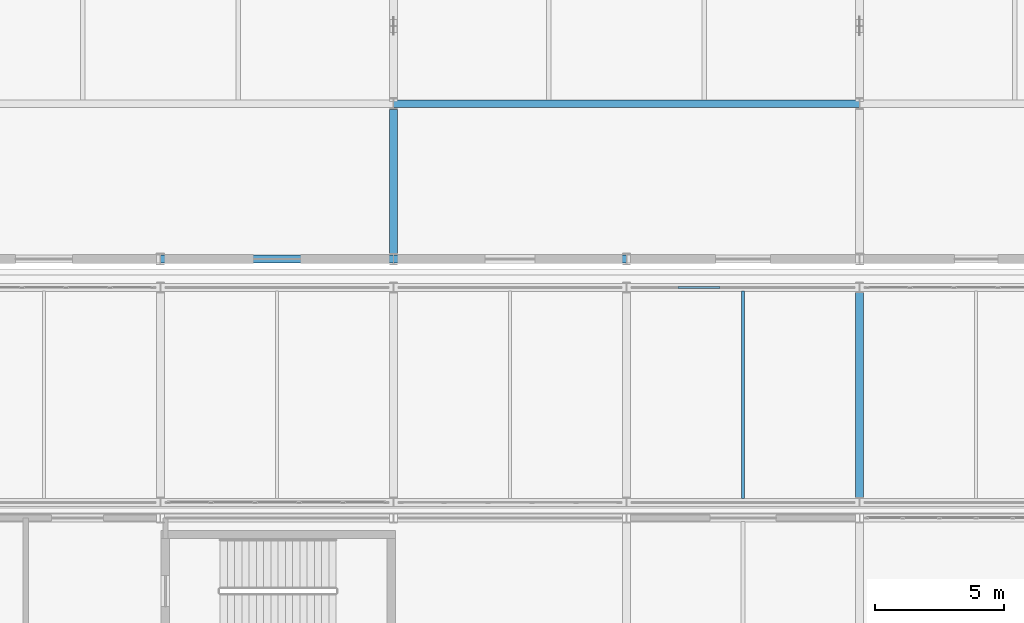
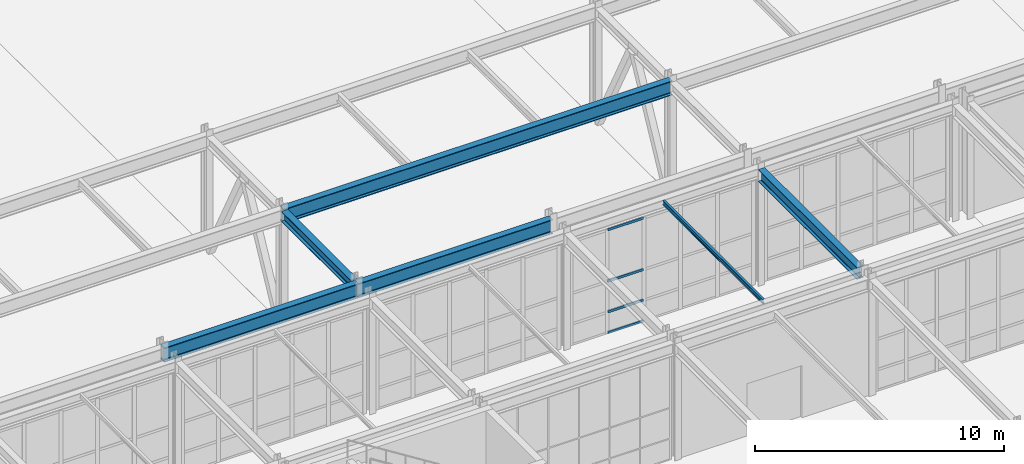
# One storey, part 54 of 146: 6 beams, 4 members, 1 element without a shape of its own.
"""IFC4 building model written with IfcOpenShell, lengths in metres."""

from ifc_helpers import new_model, si_unit, direction, frame, origin, origin_2d, place, context, subcontext, project, spatial, hollow_rectangle, i_section, extrude, material, material_profile, profile_set, type_object, element, aggregate, save


model = new_model("IFC4")

# Units and contexts
model_context = context("Model", 3, precision=1e-05, world=origin(), true_north=direction((0.0, 1.0)))
body_context = subcontext(model_context, "Body", "Model", "MODEL_VIEW")
ifc_project = project(units=[si_unit("LENGTHUNIT", "METRE"), si_unit("AREAUNIT", "SQUARE_METRE"), si_unit("VOLUMEUNIT", "CUBIC_METRE"), si_unit("PLANEANGLEUNIT", "RADIAN"), si_unit("MASSUNIT", "GRAM", prefix="KILO")], contexts=[model_context])

# Site, building, storey
site_placement = place(None, origin())
site = spatial("IfcSite", under=ifc_project, at=site_placement, CompositionType="ELEMENT")
building_placement = place(site_placement, origin())
building = spatial("IfcBuilding", under=site, at=building_placement, Name="Kaldris Quays Convention Centre", CompositionType="ELEMENT")
storey_placement = place(building_placement, origin())
storey = spatial("IfcBuildingStorey", under=building, at=storey_placement, Name="L00", CompositionType="ELEMENT", Elevation=0.0)

# Curtain wall, members
ifc_material_1 = material(Name="Anodized aluminium AW-6060 and triple glazing", Category="aluminium")
curtain_wall_type = type_object("IfcCurtainWallType", Name="UNITISED CURTAIN WALL CW02", PredefinedType="NOTDEFINED", material=ifc_material_1)
curtain_wall_placement = place(storey_placement, origin())
curtain_wall = element("IfcCurtainWall", 1, at=curtain_wall_placement, inside=storey, type_object=curtain_wall_type, Name="L00 Unitised Curtain Wall CW02 87", PredefinedType="NOTDEFINED")
ifc_material_2 = material(Name="Anodized aluminium AW-6060", Category="aluminium")
ifc_material_profile_1 = material_profile(ifc_material_2, hollow_rectangle(XDim=0.06005859375, YDim=0.1201171875, WallThickness=0.00390625, at=origin_2d()), Name="RHS 120x60x4")
ifc_profile_set_1 = profile_set([ifc_material_profile_1], Name="Anodized aluminium AW-6060")
member_type = type_object("IfcMemberType", Name="CURTAIN TRANSOM CWT1", PredefinedType="USERDEFINED", material=ifc_profile_set_1)
member_1_placement = place(storey_placement, frame((66.97998046875, 54.89990234375, 0.030029296875), z_axis=(1.0, 0.0, 0.0), x_axis=(0.0, 1.0, 0.0)))
member_1 = element("IfcMember", 2, at=member_1_placement, type_object=member_type, Name="CW02 transom 2.1", ObjectType="TRANSOM", PredefinedType="USERDEFINED", context=body_context, shape_type="SweptSolid", body=[
    extrude(hollow_rectangle(XDim=0.06005859375, YDim=0.1201171875, WallThickness=0.00390625, at=origin_2d()), origin(), (0.0, 0.0, 1.0), 1.64013671875),
])
member_2_placement = place(storey_placement, frame((66.97998046875, 54.89990234375, 1.050048828125), z_axis=(1.0, 0.0, 0.0), x_axis=(0.0, 1.0, 0.0)))
member_2 = element("IfcMember", 3, at=member_2_placement, type_object=member_type, Name="CW02 transom 2.2", ObjectType="TRANSOM", PredefinedType="USERDEFINED", context=body_context, shape_type="SweptSolid", body=[
    extrude(hollow_rectangle(XDim=0.06005859375, YDim=0.1201171875, WallThickness=0.00390625, at=origin_2d()), origin(), (0.0, 0.0, 1.0), 1.64013671875),
])
member_3_placement = place(storey_placement, frame((66.97998046875, 54.89990234375, 2.550048828125), z_axis=(1.0, 0.0, 0.0), x_axis=(0.0, 1.0, 0.0)))
member_3 = element("IfcMember", 4, at=member_3_placement, type_object=member_type, Name="CW02 transom 2.3", ObjectType="TRANSOM", PredefinedType="USERDEFINED", context=body_context, shape_type="SweptSolid", body=[
    extrude(hollow_rectangle(XDim=0.06005859375, YDim=0.1201171875, WallThickness=0.00390625, at=origin_2d()), origin(), (0.0, 0.0, 1.0), 1.64013671875),
])
member_4_placement = place(storey_placement, frame((66.97998046875, 54.89990234375, 5.070068359375), z_axis=(1.0, 0.0, 0.0), x_axis=(0.0, 1.0, 0.0)))
member_4 = element("IfcMember", 5, at=member_4_placement, type_object=member_type, Name="CW02 transom 2.4", ObjectType="TRANSOM", PredefinedType="USERDEFINED", context=body_context, shape_type="SweptSolid", body=[
    extrude(hollow_rectangle(XDim=0.06005859375, YDim=0.1201171875, WallThickness=0.00390625, at=origin_2d()), origin(), (0.0, 0.0, 1.0), 1.64013671875),
])
aggregate(curtain_wall, [member_1, member_2, member_3, member_4])

# Beams
ifc_material_3 = material(Name="Steel S355J2", Category="steel")
ifc_material_profile_2 = material_profile(ifc_material_3, i_section(OverallWidth=0.300048828125, OverallDepth=0.699951171875, WebThickness=0.01708984375, FlangeThickness=0.031982421875, FilletRadius=0.027099609375, at=origin_2d()), Name="HEB 700")
ifc_profile_set_2 = profile_set([ifc_material_profile_2], Name="Steel S355J2")
beam_type_1 = type_object("IfcBeamType", Name="STRUCTURAL BEAM BM04", PredefinedType="BEAM", material=ifc_profile_set_2)
for number, where, z_axis, x_axis, name in (
    (6, (47.00439453125, 56.0, 5.3330078125), (1.0, 0.0, 0.0), (0.0, 1.0, 0.0), "L00 Girder BM04 4"),
    (7, (56.00439453125, 56.0, 5.3330078125), (1.0, 0.0, 0.0), (0.0, 1.0, 0.0), "L00 Girder BM04 5"),
):
    element("IfcBeam", number, at=place(storey_placement, frame(where, z_axis=z_axis, x_axis=x_axis)), inside=storey, type_object=beam_type_1, Name=name, PredefinedType="BEAM", context=body_context, shape_type="SweptSolid", body=[
        extrude(i_section(OverallWidth=0.300048828125, OverallDepth=0.699951171875, WebThickness=0.01708984375, FlangeThickness=0.031982421875, FilletRadius=0.027099609375, at=origin_2d()), origin(), (0.0, 0.0, 1.0), 8.9912109375),
    ])
beam_1_placement = place(storey_placement, frame((56.0009765625, 62.0, 5.3330078125), z_axis=(1.0, 0.0, 0.0), x_axis=(0.0, 1.0, 0.0)))
element("IfcBeam", 8, at=beam_1_placement, inside=storey, type_object=beam_type_1, Name="L00 Girder BM04 17", PredefinedType="BEAM", context=body_context, shape_type="SweptSolid", body=[
    extrude(i_section(OverallWidth=0.300048828125, OverallDepth=0.699951171875, WebThickness=0.01708984375, FlangeThickness=0.031982421875, FilletRadius=0.027099609375, at=origin_2d()), origin(), (0.0, 0.0, 1.0), 17.998046875),
])
ifc_material_profile_3 = material_profile(ifc_material_3, i_section(OverallWidth=0.300048828125, OverallDepth=0.5, WebThickness=0.014404296875, FlangeThickness=0.028076171875, FilletRadius=0.027099609375, at=origin_2d()), Name="HEB 500")
ifc_profile_set_3 = profile_set([ifc_material_profile_3], Name="Steel S355J2")
beam_type_2 = type_object("IfcBeamType", Name="STRUCTURAL BEAM BM06", PredefinedType="BEAM", material=ifc_profile_set_3)
beam_2_placement = place(storey_placement, frame((56.0, 56.2099609375, 5.43310546875), z_axis=(0.0, 1.0, 0.0), x_axis=(-1.0, 0.0, 0.0)))
element("IfcBeam", 9, at=beam_2_placement, inside=storey, type_object=beam_type_2, Name="L00 Girder BM06 56", PredefinedType="BEAM", context=body_context, shape_type="SweptSolid", body=[
    extrude(i_section(OverallWidth=0.300048828125, OverallDepth=0.5, WebThickness=0.014404296875, FlangeThickness=0.028076171875, FilletRadius=0.027099609375, at=origin_2d()), origin(), (0.0, 0.0, 1.0), 5.571044921875),
])
ifc_material_profile_4 = material_profile(ifc_material_3, i_section(OverallWidth=0.300048828125, OverallDepth=0.590087890625, WebThickness=0.012939453125, FlangeThickness=0.02490234375, FilletRadius=0.027099609375, at=origin_2d()), Name="HEA 600")
ifc_profile_set_4 = profile_set([ifc_material_profile_4], Name="Steel S355J2")
beam_type_3 = type_object("IfcBeamType", Name="STRUCTURAL BEAM BM08", PredefinedType="BEAM", material=ifc_profile_set_4)
beam_3_placement = place(storey_placement, frame((74.0, 46.7890625, 5.427978515625), z_axis=(0.0, 1.0, 0.0), x_axis=(-1.0, 0.0, 0.0)))
element("IfcBeam", 10, at=beam_3_placement, inside=storey, type_object=beam_type_3, Name="L00 Girder BM08 18", PredefinedType="BEAM", context=body_context, shape_type="SweptSolid", body=[
    extrude(i_section(OverallWidth=0.300048828125, OverallDepth=0.590087890625, WebThickness=0.012939453125, FlangeThickness=0.02490234375, FilletRadius=0.027099609375, at=origin_2d()), origin(), (0.0, 0.0, 1.0), 7.921875),
])
ifc_material_profile_5 = material_profile(ifc_material_3, i_section(OverallWidth=0.110107421875, OverallDepth=0.219970703125, WebThickness=0.005859375, FlangeThickness=0.00927734375, FilletRadius=0.011962890625, at=origin_2d()), Name="IPE 220")
ifc_profile_set_5 = profile_set([ifc_material_profile_5], Name="Steel S355J2")
beam_type_4 = type_object("IfcBeamType", Name="STRUCTURAL BEAM JT08", PredefinedType="JOIST", material=ifc_profile_set_5)
beam_4_placement = place(storey_placement, frame((69.5, 46.743896484375, 5.613037109375), z_axis=(0.0, 1.0, 0.0), x_axis=(-1.0, 0.0, 0.0)))
element("IfcBeam", 11, at=beam_4_placement, inside=storey, type_object=beam_type_4, Name="L00 Secondary Joist JT08 5", PredefinedType="JOIST", context=body_context, shape_type="SweptSolid", body=[
    extrude(i_section(OverallWidth=0.110107421875, OverallDepth=0.219970703125, WebThickness=0.005859375, FlangeThickness=0.00927734375, FilletRadius=0.011962890625, at=origin_2d()), origin(), (0.0, 0.0, 1.0), 8.01220703125),
])

save(model, "model.ifc")
